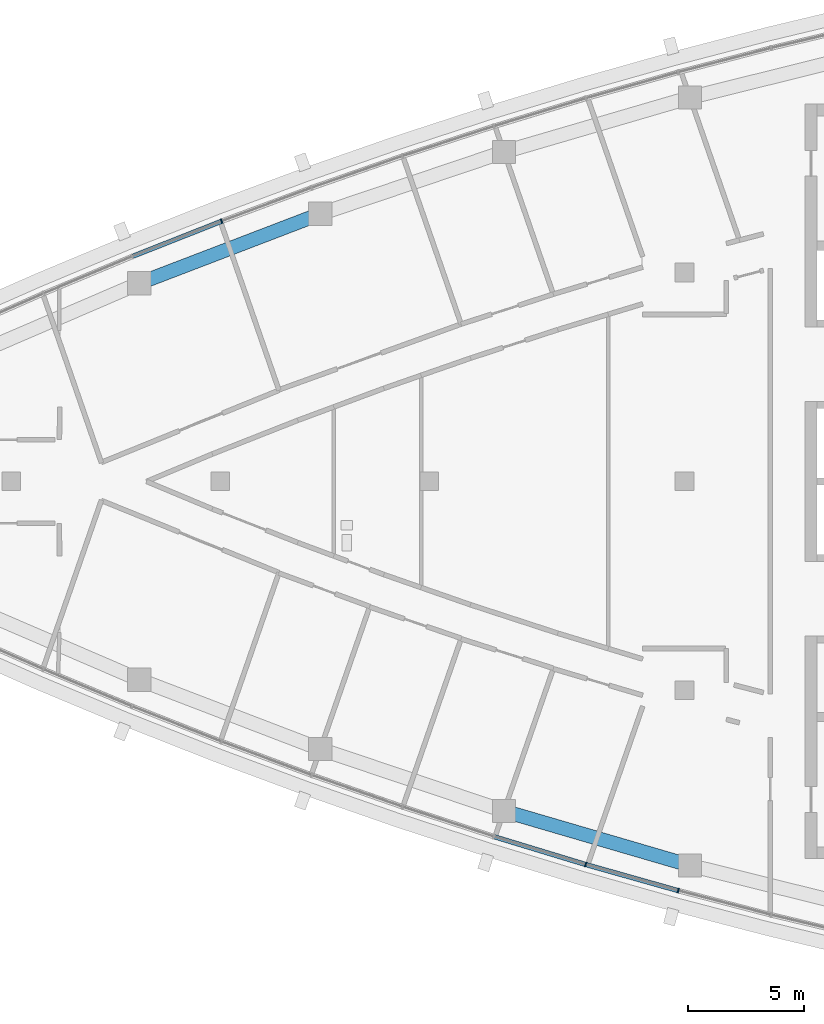
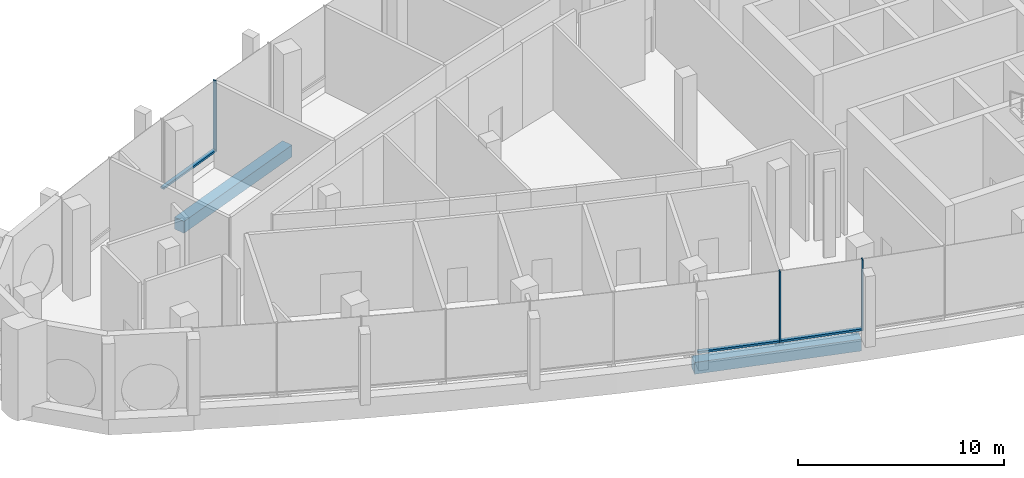
# One storey, part 3 of 15: 6 members, 2 beams, 2 elements without a shape of their own.
"""IFC4 building model written with IfcOpenShell, lengths in metres."""

from ifc_helpers import new_model, si_unit, direction, frame, origin, origin_2d, place, context, subcontext, project, spatial, rectangle, extrude, material, layer, layer_set, material_profile, profile_set, type_object, element, aggregate, save


model = new_model("IFC4")

# Units and contexts
model_context = context("Model", 3, precision=1e-05, world=origin(), true_north=direction((0.0, 1.0)))
body_context = subcontext(model_context, "Body", "Model", "MODEL_VIEW")
ifc_project = project(units=[si_unit("LENGTHUNIT", "METRE"), si_unit("AREAUNIT", "SQUARE_METRE"), si_unit("VOLUMEUNIT", "CUBIC_METRE"), si_unit("PLANEANGLEUNIT", "RADIAN"), si_unit("MASSUNIT", "GRAM", prefix="KILO")], contexts=[model_context])

# Site, building, storey
site_placement = place(None, origin())
site = spatial("IfcSite", under=ifc_project, at=site_placement, CompositionType="ELEMENT")
building_placement = place(site_placement, origin())
building = spatial("IfcBuilding", under=site, at=building_placement, Name="Ostrand Prow Hotel Tower", CompositionType="ELEMENT")
storey_placement = place(building_placement, frame((0.0, 0.0, 313.199951171875)))
storey = spatial("IfcBuildingStorey", under=building, at=storey_placement, Name="C2", CompositionType="ELEMENT", Elevation=313.199951171875)

# Beams
ifc_material_1 = material(Name="Concrete C40/50", Category="concrete")
ifc_material_profile_1 = material_profile(ifc_material_1, rectangle(XDim=0.60009765625, YDim=0.699951171875, at=origin_2d()), Name="RC 600x700")
ifc_profile_set_1 = profile_set([ifc_material_profile_1], Name="Concrete C40/50")
beam_type = type_object("IfcBeamType", Name="Edge beam 600x700 C40/50", PredefinedType="SPANDREL", material=ifc_profile_set_1)
for number, where, z_axis, x_axis, name in (
    (1, (37.22119140625, -14.19580078125, -0.64990234375), (0.959821966031, -0.280609681809, 0.0), (0.280609681809, 0.959821966031, 0.0), "Edge beam S4-S5"),
    (2, (29.31005859375, 11.528076171875, -0.64990234375), (-0.933761753797, -0.357895218111, 0.0), (0.357895218111, -0.933761753797, 0.0), "Edge beam N4-N5"),
):
    element("IfcBeam", number, at=place(storey_placement, frame(where, z_axis=z_axis, x_axis=x_axis)), inside=storey, type_object=beam_type, Name=name, PredefinedType="SPANDREL", context=body_context, shape_type="SweptSolid", body=[
        extrude(rectangle(XDim=0.60009765625, YDim=0.699951171875, at=origin_2d()), origin(), (0.0, 0.0, 1.0), 8.348876953125),
    ])

# Curtain wall, members
ifc_material_2 = material(Name="Insulated glass in bronze anodised frame", Category="glass")
ifc_layer = layer(ifc_material_2, 0.199951171875)
ifc_layer_set = layer_set([ifc_layer], Name="Insulated glass in bronze anodised frame")
curtain_wall_type = type_object("IfcCurtainWallType", Name="Observation and restaurant glazing wall", PredefinedType="NOTDEFINED", material=ifc_layer_set)
curtain_wall_1_placement = place(storey_placement, origin())
curtain_wall_1 = element("IfcCurtainWall", 3, at=curtain_wall_1_placement, inside=storey, type_object=curtain_wall_type, Name="CW6 run CWS4", PredefinedType="NOTDEFINED")
ifc_material_3 = material(Name="Bronze anodised aluminium", Category="aluminium")
ifc_material_profile_2 = material_profile(ifc_material_3, rectangle(XDim=0.199951171875, YDim=0.06005859375, at=origin_2d()), Name="Mullion 60x200 bronze anodised aluminium")
ifc_profile_set_2 = profile_set([ifc_material_profile_2], Name="Bronze anodised aluminium")
member_type_1 = type_object("IfcMemberType", Name="Mullion 60x200 bronze anodised aluminium", PredefinedType="MULLION", material=ifc_profile_set_2)
member_1_placement = place(storey_placement, frame((40.744384765625, -16.502197265625, 0.900146484375), z_axis=(0.0, 0.0, 1.0), x_axis=(0.271648738865, 0.962396468548, 0.0)))
member_1 = element("IfcMember", 4, at=member_1_placement, type_object=member_type_1, Name="CW6 mullion 2", PredefinedType="MULLION", context=body_context, shape_type="SweptSolid", body=[
    extrude(rectangle(XDim=0.199951171875, YDim=0.06005859375, at=origin_2d()), origin(), (0.0, 0.0, 1.0), 4.199951171875),
])
member_2_placement = place(storey_placement, frame((44.728515625, -17.626708984375, 0.900146484375), z_axis=(0.0, 0.0, 1.0), x_axis=(0.271648738865, 0.962396468548, 0.0)))
member_2 = element("IfcMember", 5, at=member_2_placement, type_object=member_type_1, Name="CW6 mullion 3", PredefinedType="MULLION", context=body_context, shape_type="SweptSolid", body=[
    extrude(rectangle(XDim=0.199951171875, YDim=0.06005859375, at=origin_2d()), origin(), (0.0, 0.0, 1.0), 4.199951171875),
])

# Curtain wall, member
curtain_wall_2_placement = place(storey_placement, origin())
curtain_wall_2 = element("IfcCurtainWall", 6, at=curtain_wall_2_placement, inside=storey, type_object=curtain_wall_type, Name="CW6 run CWN4", PredefinedType="NOTDEFINED")
member_3_placement = place(storey_placement, frame((25.05810546875, 11.210205078125, 0.900146484375), z_axis=(0.0, 0.0, 1.0), x_axis=(0.366845465248, -0.930281895249, 0.0)))
member_3 = element("IfcMember", 7, at=member_3_placement, type_object=member_type_1, Name="CW6 mullion 2", PredefinedType="MULLION", context=body_context, shape_type="SweptSolid", body=[
    extrude(rectangle(XDim=0.199951171875, YDim=0.06005859375, at=origin_2d()), origin(), (0.0, 0.0, 1.0), 4.199951171875),
])

# Member
ifc_material_4 = material(Name="Bronze anodised aluminium", Category="aluminium")
ifc_material_profile_3 = material_profile(ifc_material_4, rectangle(XDim=0.199951171875, YDim=0.1201171875, at=origin_2d()), Name="Transom 120x200 bronze anodised aluminium")
ifc_profile_set_3 = profile_set([ifc_material_profile_3], Name="Bronze anodised aluminium")
member_type_2 = type_object("IfcMemberType", Name="Transom 120x200 bronze anodised aluminium", PredefinedType="USERDEFINED", material=ifc_profile_set_3)
member_4_placement = place(storey_placement, frame((36.8125, -15.306396484375, 0.9599609375), z_axis=(0.956739081124, -0.290947298751, 0.0), x_axis=(0.290947298751, 0.956739081124, 0.0)))
member_4 = element("IfcMember", 8, at=member_4_placement, type_object=member_type_2, Name="CW6 transom 1.1", ObjectType="TRANSOM", PredefinedType="USERDEFINED", context=body_context, shape_type="SweptSolid", body=[
    extrude(rectangle(XDim=0.199951171875, YDim=0.1201171875, at=origin_2d()), origin(), (0.0, 0.0, 1.0), 4.079833984375),
])

member_5_placement = place(storey_placement, frame((40.7734375, -16.51025390625, 0.9599609375), z_axis=(0.962386308628, -0.271684730828, 0.0), x_axis=(0.271684730828, 0.962386308628, 0.0)))
member_5 = element("IfcMember", 9, at=member_5_placement, type_object=member_type_2, Name="CW6 transom 2.1", ObjectType="TRANSOM", PredefinedType="USERDEFINED", context=body_context, shape_type="SweptSolid", body=[
    extrude(rectangle(XDim=0.199951171875, YDim=0.1201171875, at=origin_2d()), origin(), (0.0, 0.0, 1.0), 4.079833984375),
])

aggregate(curtain_wall_1, [member_1, member_2, member_4, member_5])

member_6_placement = place(storey_placement, frame((25.0302734375, 11.19921875, 0.9599609375), z_axis=(-0.930289613186, -0.366825892759, 0.0), x_axis=(0.366825892759, -0.930289613186, 0.0)))
member_6 = element("IfcMember", 10, at=member_6_placement, type_object=member_type_2, Name="CW6 transom 2.1", ObjectType="TRANSOM", PredefinedType="USERDEFINED", context=body_context, shape_type="SweptSolid", body=[
    extrude(rectangle(XDim=0.199951171875, YDim=0.1201171875, at=origin_2d()), origin(), (0.0, 0.0, 1.0), 4.079833984375),
])

aggregate(curtain_wall_2, [member_3, member_6])

save(model, "model.ifc")
